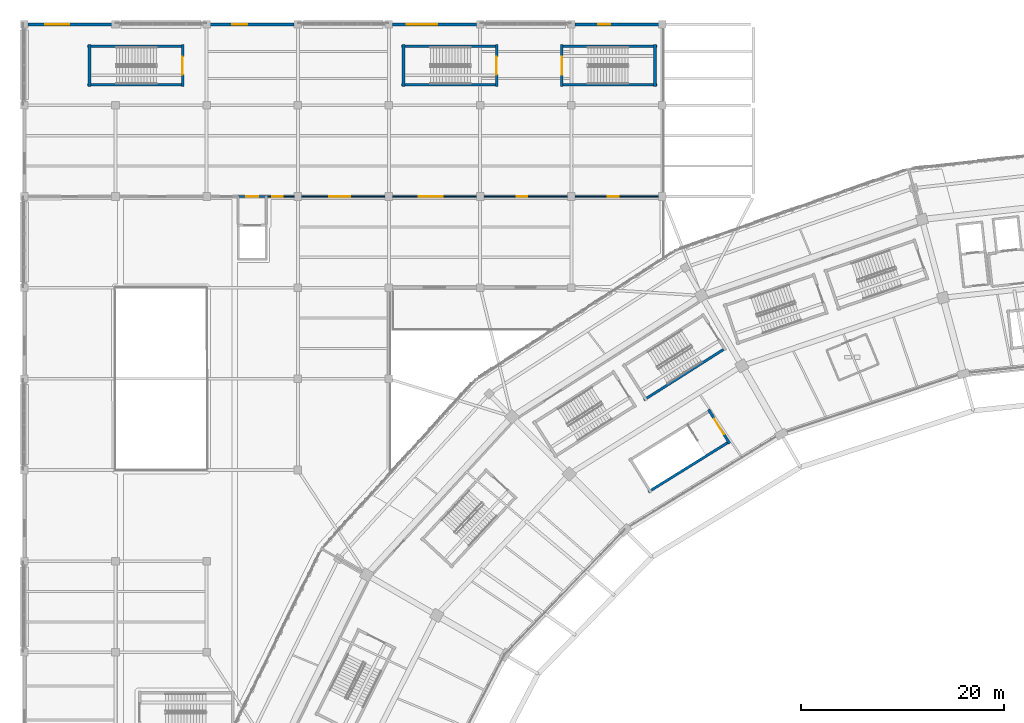
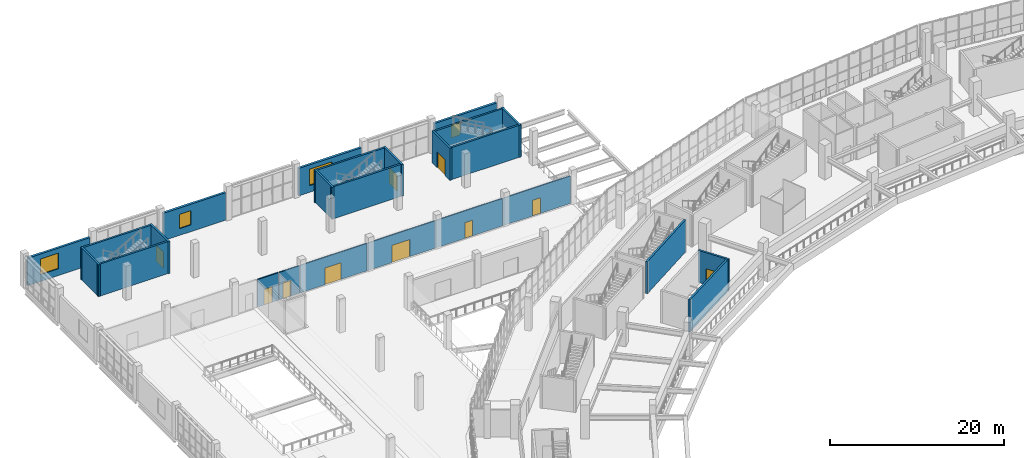
# One storey, part 108 of 179: 25 walls, 10 doors, 4 windows, 14 openings.
"""IFC4 building model written with IfcOpenShell, lengths in metres."""

from ifc_helpers import new_model, si_unit, direction, frame, frame_2d, origin, place, context, subcontext, project, spatial, rectangle, extrude, material, layer, layer_set, type_object, element, fill, save


model = new_model("IFC4")

# Units and contexts
model_context = context("Model", 3, precision=1e-05, world=origin(), true_north=direction((0.0, 1.0)))
body_context = subcontext(model_context, "Body", "Model", "MODEL_VIEW")
ifc_project = project(units=[si_unit("LENGTHUNIT", "METRE"), si_unit("AREAUNIT", "SQUARE_METRE"), si_unit("VOLUMEUNIT", "CUBIC_METRE"), si_unit("PLANEANGLEUNIT", "RADIAN"), si_unit("MASSUNIT", "GRAM", prefix="KILO")], contexts=[model_context])

# Site, building, storey
site_placement = place(None, origin())
site = spatial("IfcSite", under=ifc_project, at=site_placement, CompositionType="ELEMENT")
building_placement = place(site_placement, origin())
building = spatial("IfcBuilding", under=site, at=building_placement, Name="Zevraka Park Crest Stadium", CompositionType="ELEMENT")
storey_placement = place(building_placement, frame((0.0, 0.0, 10.199951171875)))
storey = spatial("IfcBuildingStorey", under=building, at=storey_placement, Name="L02", CompositionType="ELEMENT", Elevation=10.199951171875)

# Wall, opening, window
ifc_material_1 = material(Name="Limestone and red clay brick masonry", Category="masonry")
ifc_layer_1 = layer(ifc_material_1, 0.300048828125)
ifc_layer_set_1 = layer_set([ifc_layer_1], Name="Limestone and red clay brick masonry")
wall_type_1 = type_object("IfcWallType", Name="EW02", PredefinedType="STANDARD", material=ifc_layer_set_1)
wall_1_placement = place(storey_placement, frame((0.35009765625, 184.0, 0.0), z_axis=(0.0, 0.0, 1.0), x_axis=(1.0, 0.0, 0.0)))
wall_1 = element("IfcWall", 1, at=wall_1_placement, inside=storey, type_object=wall_type_1, Name="Wing External Cavity Wall EW02 L02-NW-N2-1", PredefinedType="STANDARD", context=body_context, shape_type="SweptSolid", body=[
    extrude(rectangle(XDim=8.2998046875, YDim=0.300048828125, at=frame_2d((4.14990234375, 0.0))), origin(), (0.0, 0.0, 1.0), 3.85498046875),
])
opening_1_placement = place(wall_1_placement, frame((1.705078125, 0.0, 0.949951171875)))
opening_1 = element("IfcOpeningElement", 2, at=opening_1_placement, cuts=wall_1, Name="Opening WN02", PredefinedType="OPENING", context=body_context, shape_type="SweptSolid", body=[
    extrude(rectangle(XDim=2.39990234375, YDim=2.199951171875, at=frame_2d((1.199951171875, 1.10009765625))), frame((0.0, 0.159912109375, 0.0), z_axis=(0.0, -1.0, 0.0), x_axis=(1.0, 0.0, 0.0)), (0.0, 0.0, 1.0), 0.320068359375),
])
ifc_material_2 = material(Name="Solar-control laminated double glazing in aluminium frame", Category="aluminium")
window_type_1 = type_object("IfcWindowType", Name="WN02", PartitioningType="SINGLE_PANEL", PredefinedType="WINDOW", material=ifc_material_2)
window_1_placement = place(opening_1_placement, origin())
window_1 = element("IfcWindow", 3, at=window_1_placement, inside=storey, type_object=window_type_1, Name="Facade Casement Window WN02 W-L02-043", OverallHeight=2.199951171875, OverallWidth=2.39990234375, PartitioningType="SINGLE_PANEL", PredefinedType="WINDOW", context=body_context, shape_type="SweptSolid", body=[
    extrude(rectangle(XDim=2.39990234375, YDim=2.199951171875, at=frame_2d((1.199951171875, 1.10009765625))), frame((0.0, 0.030029296875, 0.0), z_axis=(0.0, -1.0, 0.0), x_axis=(1.0, 0.0, 0.0)), (0.0, 0.0, 1.0), 0.06005859375),
])
fill(opening_1, window_1)

wall_2_placement = place(storey_placement, frame((18.35009765625, 184.0, 0.0), z_axis=(0.0, 0.0, 1.0), x_axis=(1.0, 0.0, 0.0)))
wall_2 = element("IfcWall", 4, at=wall_2_placement, inside=storey, type_object=wall_type_1, Name="Wing External Cavity Wall EW02 L02-NW-N2-3", PredefinedType="STANDARD", context=body_context, shape_type="SweptSolid", body=[
    extrude(rectangle(XDim=8.2998046875, YDim=0.300048828125, at=frame_2d((4.14990234375, 0.0))), origin(), (0.0, 0.0, 1.0), 3.85498046875),
])
opening_2_placement = place(wall_2_placement, frame((2.155029296875, 0.0, 0.949951171875)))
opening_2 = element("IfcOpeningElement", 5, at=opening_2_placement, cuts=wall_2, Name="Opening WN03", PredefinedType="OPENING", context=body_context, shape_type="SweptSolid", body=[
    extrude(rectangle(XDim=1.5, YDim=2.0, at=frame_2d((0.75, 1.0))), frame((0.0, 0.159912109375, 0.0), z_axis=(0.0, -1.0, 0.0), x_axis=(1.0, 0.0, 0.0)), (0.0, 0.0, 1.0), 0.320068359375),
])
ifc_material_3 = material(Name="Solar-control laminated double glazing in aluminium frame", Category="aluminium")
window_type_2 = type_object("IfcWindowType", Name="WN03", PartitioningType="SINGLE_PANEL", PredefinedType="WINDOW", material=ifc_material_3)
window_2_placement = place(opening_2_placement, origin())
window_2 = element("IfcWindow", 6, at=window_2_placement, inside=storey, type_object=window_type_2, Name="Facade Casement Window WN03 W-L02-044", OverallHeight=2.0, OverallWidth=1.5, PartitioningType="SINGLE_PANEL", PredefinedType="WINDOW", context=body_context, shape_type="SweptSolid", body=[
    extrude(rectangle(XDim=1.5, YDim=2.0, at=frame_2d((0.75, 1.0))), frame((0.0, 0.030029296875, 0.0), z_axis=(0.0, -1.0, 0.0), x_axis=(1.0, 0.0, 0.0)), (0.0, 0.0, 1.0), 0.06005859375),
])
fill(opening_2, window_2)

wall_3_placement = place(storey_placement, frame((36.35009765625, 184.0, 0.0), z_axis=(0.0, 0.0, 1.0), x_axis=(1.0, 0.0, 0.0)))
wall_3 = element("IfcWall", 7, at=wall_3_placement, inside=storey, type_object=wall_type_1, Name="Wing External Cavity Wall EW02 L02-NW-N2-5", PredefinedType="STANDARD", context=body_context, shape_type="SweptSolid", body=[
    extrude(rectangle(XDim=8.2998046875, YDim=0.300048828125, at=frame_2d((4.14990234375, 0.0))), origin(), (0.0, 0.0, 1.0), 3.85498046875),
])
opening_3_placement = place(wall_3_placement, frame((1.405029296875, 0.0, 0.949951171875)))
opening_3 = element("IfcOpeningElement", 8, at=opening_3_placement, cuts=wall_3, Name="Opening WN04", PredefinedType="OPENING", context=body_context, shape_type="SweptSolid", body=[
    extrude(rectangle(XDim=3.0, YDim=2.300048828125, at=frame_2d((1.5, 1.14990234375))), frame((0.0, 0.159912109375, 0.0), z_axis=(0.0, -1.0, 0.0), x_axis=(1.0, 0.0, 0.0)), (0.0, 0.0, 1.0), 0.320068359375),
])
ifc_material_4 = material(Name="Solar-control laminated double glazing in aluminium frame", Category="aluminium")
window_type_3 = type_object("IfcWindowType", Name="WN04", PartitioningType="SINGLE_PANEL", PredefinedType="WINDOW", material=ifc_material_4)
window_3_placement = place(opening_3_placement, origin())
window_3 = element("IfcWindow", 9, at=window_3_placement, inside=storey, type_object=window_type_3, Name="Facade Casement Window WN04 W-L02-045", OverallHeight=2.300048828125, OverallWidth=3.0, PartitioningType="SINGLE_PANEL", PredefinedType="WINDOW", context=body_context, shape_type="SweptSolid", body=[
    extrude(rectangle(XDim=3.0, YDim=2.300048828125, at=frame_2d((1.5, 1.14990234375))), frame((0.0, 0.030029296875, 0.0), z_axis=(0.0, -1.0, 0.0), x_axis=(1.0, 0.0, 0.0)), (0.0, 0.0, 1.0), 0.06005859375),
])
fill(opening_3, window_3)

wall_4_placement = place(storey_placement, frame((54.35009765625, 184.0, 0.0), z_axis=(0.0, 0.0, 1.0), x_axis=(1.0, 0.0, 0.0)))
wall_4 = element("IfcWall", 10, at=wall_4_placement, inside=storey, type_object=wall_type_1, Name="Wing External Cavity Wall EW02 L02-NW-N2-7", PredefinedType="STANDARD", context=body_context, shape_type="SweptSolid", body=[
    extrude(rectangle(XDim=8.2998046875, YDim=0.300048828125, at=frame_2d((4.14990234375, 0.0))), origin(), (0.0, 0.0, 1.0), 3.85498046875),
])
opening_4_placement = place(wall_4_placement, frame((2.304931640625, 0.0, 0.949951171875)))
opening_4 = element("IfcOpeningElement", 11, at=opening_4_placement, cuts=wall_4, Name="Opening WN05", PredefinedType="OPENING", context=body_context, shape_type="SweptSolid", body=[
    extrude(rectangle(XDim=1.199951171875, YDim=1.800048828125, at=frame_2d((0.60009765625, 0.89990234375))), frame((0.0, 0.159912109375, 0.0), z_axis=(0.0, -1.0, 0.0), x_axis=(1.0, 0.0, 0.0)), (0.0, 0.0, 1.0), 0.320068359375),
])
ifc_material_5 = material(Name="Solar-control laminated double glazing in aluminium frame", Category="aluminium")
window_type_4 = type_object("IfcWindowType", Name="WN05", PartitioningType="SINGLE_PANEL", PredefinedType="WINDOW", material=ifc_material_5)
window_4_placement = place(opening_4_placement, origin())
window_4 = element("IfcWindow", 12, at=window_4_placement, inside=storey, type_object=window_type_4, Name="Facade Casement Window WN05 W-L02-046", OverallHeight=1.800048828125, OverallWidth=1.199951171875, PartitioningType="SINGLE_PANEL", PredefinedType="WINDOW", context=body_context, shape_type="SweptSolid", body=[
    extrude(rectangle(XDim=1.199951171875, YDim=1.800048828125, at=frame_2d((0.60009765625, 0.89990234375))), frame((0.0, 0.030029296875, 0.0), z_axis=(0.0, -1.0, 0.0), x_axis=(1.0, 0.0, 0.0)), (0.0, 0.0, 1.0), 0.06005859375),
])
fill(opening_4, window_4)

# Wall, opening, door
ifc_material_6 = material(Name="Fire-rated twin-stud acoustic drywall", Category="other")
ifc_layer_2 = layer(ifc_material_6, 0.159912109375)
ifc_layer_set_2 = layer_set([ifc_layer_2], Name="Fire-rated twin-stud acoustic drywall")
wall_type_2 = type_object("IfcWallType", Name="IW02", PredefinedType="PARTITIONING", material=ifc_layer_set_2)
wall_5_placement = place(storey_placement, frame((23.889892578125, 167.0, 0.0), z_axis=(0.0, 0.0, 1.0), x_axis=(-1.0, 0.0, 0.0)))
wall_5 = element("IfcWall", 13, at=wall_5_placement, inside=storey, type_object=wall_type_2, Name="Goods Lift Lobby Wall IW02 GL01 L02 FRONT", PredefinedType="PARTITIONING", context=body_context, shape_type="SweptSolid", body=[
    extrude(rectangle(XDim=2.77978515625, YDim=0.159912109375, at=frame_2d((1.389892578125, 0.0))), origin(), (0.0, 0.0, 1.0), 3.85498046875),
])
opening_5_placement = place(wall_5_placement, frame((0.81494140625, 0.0, 0.0)))
opening_5 = element("IfcOpeningElement", 14, at=opening_5_placement, cuts=wall_5, Name="Opening D-L02-331", PredefinedType="OPENING", context=body_context, shape_type="SweptSolid", body=[
    extrude(rectangle(XDim=1.14990234375, YDim=2.199951171875, at=frame_2d((0.574951171875, 1.10009765625))), frame((0.0, 0.08984375, 0.0), z_axis=(0.0, -1.0, 0.0), x_axis=(1.0, 0.0, 0.0)), (0.0, 0.0, 1.0), 0.179931640625),
])
ifc_material_7 = material(Name="Solid-core hardwood timber leaf in steel frame", Category="steel")
door_type_1 = type_object("IfcDoorType", Name="DR03", OperationType="NOTDEFINED", PredefinedType="DOOR", material=ifc_material_7)
door_1_placement = place(opening_5_placement, origin())
door_1 = element("IfcDoor", 15, at=door_1_placement, inside=storey, type_object=door_type_1, Name="Goods Lift Lobby GL01 Door D-L02-331", OperationType="SINGLE_SWING_LEFT", OverallHeight=2.199951171875, OverallWidth=1.14990234375, PredefinedType="DOOR", context=body_context, shape_type="SweptSolid", body=[
    extrude(rectangle(XDim=1.14990234375, YDim=2.199951171875, at=frame_2d((0.574951171875, 1.10009765625))), frame((0.0, 0.02490234375, 0.0), z_axis=(0.0, -1.0, 0.0), x_axis=(1.0, 0.0, 0.0)), (0.0, 0.0, 1.0), 0.050048828125),
])
fill(opening_5, door_1)

ifc_material_8 = material(Name="Fire-rated twin-stud acoustic drywall", Category="other")
ifc_layer_3 = layer(ifc_material_8, 0.139892578125)
ifc_layer_set_3 = layer_set([ifc_layer_3], Name="Fire-rated twin-stud acoustic drywall")
wall_type_3 = type_object("IfcWallType", Name="IW03", PredefinedType="PARTITIONING", material=ifc_layer_set_3)
wall_6_placement = place(storey_placement, frame((23.969970703125, 167.0, 0.0), z_axis=(0.0, 0.0, 1.0), x_axis=(1.0, 0.0, 0.0)))
wall_6 = element("IfcWall", 16, at=wall_6_placement, inside=storey, type_object=wall_type_3, Name="Interior Partition IW03 Community Sports Classroom L02", PredefinedType="PARTITIONING", context=body_context, shape_type="SweptSolid", body=[
    extrude(rectangle(XDim=2.669921875, YDim=0.139892578125, at=frame_2d((1.3349609375, 0.0))), origin(), (0.0, 0.0, 1.0), 3.85498046875),
])
opening_6_placement = place(wall_6_placement, frame((0.52294921875, 0.0, 0.0)))
opening_6 = element("IfcOpeningElement", 17, at=opening_6_placement, cuts=wall_6, Name="Opening D-L02-427", PredefinedType="OPENING", context=body_context, shape_type="SweptSolid", body=[
    extrude(rectangle(XDim=1.02001953125, YDim=2.199951171875, at=frame_2d((0.510009765625, 1.10009765625))), frame((0.0, 0.079833984375, 0.0), z_axis=(0.0, -1.0, 0.0), x_axis=(1.0, 0.0, 0.0)), (0.0, 0.0, 1.0), 0.159912109375),
])
ifc_material_9 = material(Name="Solid-core hardwood timber leaf in steel frame", Category="steel")
door_type_2 = type_object("IfcDoorType", Name="DR21", OperationType="NOTDEFINED", PredefinedType="DOOR", material=ifc_material_9)
door_2_placement = place(opening_6_placement, origin())
door_2 = element("IfcDoor", 18, at=door_2_placement, inside=storey, type_object=door_type_2, Name="Community Sports Classroom Door D-L02-427", OperationType="SINGLE_SWING_RIGHT", OverallHeight=2.199951171875, OverallWidth=1.02001953125, PredefinedType="DOOR", context=body_context, shape_type="SweptSolid", body=[
    extrude(rectangle(XDim=1.02001953125, YDim=2.199951171875, at=frame_2d((0.510009765625, 1.10009765625))), frame((0.0, 0.02490234375, 0.0), z_axis=(0.0, -1.0, 0.0), x_axis=(1.0, 0.0, 0.0)), (0.0, 0.0, 1.0), 0.050048828125),
])
fill(opening_6, door_2)

wall_7_placement = place(storey_placement, frame((26.625, 167.0, 0.0), z_axis=(0.0, 0.0, 1.0), x_axis=(1.0, 0.0, 0.0)))
wall_7 = element("IfcWall", 19, at=wall_7_placement, inside=storey, type_object=wall_type_3, Name="Interior Partition IW03 Community Sports Classroom L02", PredefinedType="PARTITIONING", context=body_context, shape_type="SweptSolid", body=[
    extrude(rectangle(XDim=9.014892578125, YDim=0.139892578125, at=frame_2d((4.50732421875, 0.0))), origin(), (0.0, 0.0, 1.0), 3.85498046875),
])
opening_7_placement = place(wall_7_placement, frame((3.4580078125, 0.0, 0.0)))
opening_7 = element("IfcOpeningElement", 20, at=opening_7_placement, cuts=wall_7, Name="Opening D-L02-428", PredefinedType="OPENING", context=body_context, shape_type="SweptSolid", body=[
    extrude(rectangle(XDim=2.10009765625, YDim=2.35009765625, at=frame_2d((1.050048828125, 1.175048828125))), frame((0.0, 0.079833984375, 0.0), z_axis=(0.0, -1.0, 0.0), x_axis=(1.0, 0.0, 0.0)), (0.0, 0.0, 1.0), 0.159912109375),
])
ifc_material_10 = material(Name="Solid-core hardwood timber leaf in steel frame", Category="steel")
door_type_3 = type_object("IfcDoorType", Name="DR17", OperationType="NOTDEFINED", PredefinedType="DOOR", material=ifc_material_10)
door_3_placement = place(opening_7_placement, origin())
door_3 = element("IfcDoor", 21, at=door_3_placement, inside=storey, type_object=door_type_3, Name="Community Sports Classroom Door D-L02-428", OperationType="DOUBLE_DOOR_SINGLE_SWING", OverallHeight=2.35009765625, OverallWidth=2.10009765625, PredefinedType="DOOR", context=body_context, shape_type="SweptSolid", body=[
    extrude(rectangle(XDim=2.10009765625, YDim=2.35009765625, at=frame_2d((1.050048828125, 1.175048828125))), frame((0.0, 0.02490234375, 0.0), z_axis=(0.0, -1.0, 0.0), x_axis=(1.0, 0.0, 0.0)), (0.0, 0.0, 1.0), 0.050048828125),
])
fill(opening_7, door_3)

wall_8_placement = place(storey_placement, frame((35.625, 167.0, 0.0), z_axis=(0.0, 0.0, 1.0), x_axis=(1.0, 0.0, 0.0)))
wall_8 = element("IfcWall", 22, at=wall_8_placement, inside=storey, type_object=wall_type_3, Name="Interior Partition IW03 Community Sports Classroom L02", PredefinedType="PARTITIONING", context=body_context, shape_type="SweptSolid", body=[
    extrude(rectangle(XDim=9.014892578125, YDim=0.139892578125, at=frame_2d((4.50732421875, 0.0))), origin(), (0.0, 0.0, 1.0), 3.85498046875),
])
opening_8_placement = place(wall_8_placement, frame((3.30810546875, 0.0, 0.0)))
opening_8 = element("IfcOpeningElement", 23, at=opening_8_placement, cuts=wall_8, Name="Opening D-L02-429", PredefinedType="OPENING", context=body_context, shape_type="SweptSolid", body=[
    extrude(rectangle(XDim=2.39990234375, YDim=2.39990234375, at=frame_2d((1.199951171875, 1.199951171875))), frame((0.0, 0.079833984375, 0.0), z_axis=(0.0, -1.0, 0.0), x_axis=(1.0, 0.0, 0.0)), (0.0, 0.0, 1.0), 0.159912109375),
])
ifc_material_11 = material(Name="Solid-core hardwood timber leaf in steel frame", Category="steel")
door_type_4 = type_object("IfcDoorType", Name="DR18", OperationType="NOTDEFINED", PredefinedType="DOOR", material=ifc_material_11)
door_4_placement = place(opening_8_placement, origin())
door_4 = element("IfcDoor", 24, at=door_4_placement, inside=storey, type_object=door_type_4, Name="Community Sports Classroom Door D-L02-429", OperationType="DOUBLE_DOOR_SINGLE_SWING", OverallHeight=2.39990234375, OverallWidth=2.39990234375, PredefinedType="DOOR", context=body_context, shape_type="SweptSolid", body=[
    extrude(rectangle(XDim=2.39990234375, YDim=2.39990234375, at=frame_2d((1.199951171875, 1.199951171875))), frame((0.0, 0.02490234375, 0.0), z_axis=(0.0, -1.0, 0.0), x_axis=(1.0, 0.0, 0.0)), (0.0, 0.0, 1.0), 0.050048828125),
])
fill(opening_8, door_4)

wall_9_placement = place(storey_placement, frame((44.625, 167.0, 0.0), z_axis=(0.0, 0.0, 1.0), x_axis=(1.0, 0.0, 0.0)))
wall_9 = element("IfcWall", 25, at=wall_9_placement, inside=storey, type_object=wall_type_3, Name="Interior Partition IW03 Community Sports Classroom L02", PredefinedType="PARTITIONING", context=body_context, shape_type="SweptSolid", body=[
    extrude(rectangle(XDim=9.014892578125, YDim=0.139892578125, at=frame_2d((4.50732421875, 0.0))), origin(), (0.0, 0.0, 1.0), 3.85498046875),
])
opening_9_placement = place(wall_9_placement, frame((3.998046875, 0.0, 0.0)))
opening_9 = element("IfcOpeningElement", 26, at=opening_9_placement, cuts=wall_9, Name="Opening D-L02-430", PredefinedType="OPENING", context=body_context, shape_type="SweptSolid", body=[
    extrude(rectangle(XDim=1.02001953125, YDim=2.199951171875, at=frame_2d((0.510009765625, 1.10009765625))), frame((0.0, 0.079833984375, 0.0), z_axis=(0.0, -1.0, 0.0), x_axis=(1.0, 0.0, 0.0)), (0.0, 0.0, 1.0), 0.159912109375),
])
door_5_placement = place(opening_9_placement, origin())
door_5 = element("IfcDoor", 27, at=door_5_placement, inside=storey, type_object=door_type_2, Name="Community Sports Classroom Door D-L02-430", OperationType="SINGLE_SWING_LEFT", OverallHeight=2.199951171875, OverallWidth=1.02001953125, PredefinedType="DOOR", context=body_context, shape_type="SweptSolid", body=[
    extrude(rectangle(XDim=1.02001953125, YDim=2.199951171875, at=frame_2d((0.510009765625, 1.10009765625))), frame((0.0, 0.02490234375, 0.0), z_axis=(0.0, -1.0, 0.0), x_axis=(1.0, 0.0, 0.0)), (0.0, 0.0, 1.0), 0.050048828125),
])
fill(opening_9, door_5)

wall_10_placement = place(storey_placement, frame((53.625, 167.0, 0.0), z_axis=(0.0, 0.0, 1.0), x_axis=(1.0, 0.0, 0.0)))
wall_10 = element("IfcWall", 28, at=wall_10_placement, inside=storey, type_object=wall_type_3, Name="Interior Partition IW03 Community Sports Classroom L02", PredefinedType="PARTITIONING", context=body_context, shape_type="SweptSolid", body=[
    extrude(rectangle(XDim=9.014892578125, YDim=0.139892578125, at=frame_2d((4.50732421875, 0.0))), origin(), (0.0, 0.0, 1.0), 3.85498046875),
])
opening_10_placement = place(wall_10_placement, frame((3.968017578125, 0.0, 0.0)))
opening_10 = element("IfcOpeningElement", 29, at=opening_10_placement, cuts=wall_10, Name="Opening D-L02-431", PredefinedType="OPENING", context=body_context, shape_type="SweptSolid", body=[
    extrude(rectangle(XDim=1.080078125, YDim=2.199951171875, at=frame_2d((0.5400390625, 1.10009765625))), frame((0.0, 0.079833984375, 0.0), z_axis=(0.0, -1.0, 0.0), x_axis=(1.0, 0.0, 0.0)), (0.0, 0.0, 1.0), 0.159912109375),
])
ifc_material_12 = material(Name="Solid-core hardwood timber leaf in steel frame", Category="steel")
door_type_5 = type_object("IfcDoorType", Name="DR22", OperationType="NOTDEFINED", PredefinedType="DOOR", material=ifc_material_12)
door_6_placement = place(opening_10_placement, origin())
door_6 = element("IfcDoor", 30, at=door_6_placement, inside=storey, type_object=door_type_5, Name="Community Sports Classroom Door D-L02-431", OperationType="SINGLE_SWING_RIGHT", OverallHeight=2.199951171875, OverallWidth=1.080078125, PredefinedType="DOOR", context=body_context, shape_type="SweptSolid", body=[
    extrude(rectangle(XDim=1.080078125, YDim=2.199951171875, at=frame_2d((0.5400390625, 1.10009765625))), frame((0.0, 0.02490234375, 0.0), z_axis=(0.0, -1.0, 0.0), x_axis=(1.0, 0.0, 0.0)), (0.0, 0.0, 1.0), 0.050048828125),
])
fill(opening_10, door_6)

# Walls
ifc_material_13 = material(Name="Concrete C40/50", Category="concrete")
ifc_layer_4 = layer(ifc_material_13, 0.25)
ifc_layer_set_4 = layer_set([ifc_layer_4], Name="Concrete C40/50")
wall_type_4 = type_object("IfcWallType", Name="SW01", PredefinedType="SHEAR", material=ifc_layer_set_4)
wall_11_placement = place(storey_placement, frame((61.183349609375, 146.917236328125, 0.0), z_axis=(0.0, 0.0, 1.0), x_axis=(0.844391246241, 0.535727004427, 0.0)))
element("IfcWall", 31, at=wall_11_placement, inside=storey, type_object=wall_type_4, Name="Stair Core Shear Wall SW01 ST09 L02 right", PredefinedType="SHEAR", context=body_context, shape_type="SweptSolid", body=[
    extrude(rectangle(XDim=9.550048828125, YDim=0.25, at=frame_2d((4.77490234375, 0.0))), origin(), (0.0, 0.0, 1.0), 4.5),
])
wall_12_placement = place(storey_placement, frame((61.621337890625, 137.840087890625, 0.0), z_axis=(0.0, 0.0, 1.0), x_axis=(0.849684869763, 0.527290832554, 0.0)))
element("IfcWall", 32, at=wall_12_placement, inside=storey, type_object=wall_type_4, Name="Stair Core Shear Wall SW01 ST37 L02 right", PredefinedType="SHEAR", context=body_context, shape_type="SweptSolid", body=[
    extrude(rectangle(XDim=9.449951171875, YDim=0.25, at=frame_2d((4.72509765625, 0.0))), origin(), (0.0, 0.0, 1.0), 4.5),
])

# Wall, opening, door
wall_13_placement = place(storey_placement, frame((69.634521484375, 142.612548828125, 0.0), z_axis=(0.0, 0.0, 1.0), x_axis=(-0.527303008499, 0.849677313589, 0.0)))
wall_13 = element("IfcWall", 33, at=wall_13_placement, inside=storey, type_object=wall_type_4, Name="Stair Core Shear Wall SW01 ST37 L02 near", PredefinedType="SHEAR", context=body_context, shape_type="SweptSolid", body=[
    extrude(rectangle(XDim=3.9599609375, YDim=0.25, at=frame_2d((1.97998046875, 0.0))), origin(), (0.0, 0.0, 1.0), 4.5),
])
opening_11_placement = place(wall_13_placement, frame((1.080078125, 0.0, 0.0)))
opening_11 = element("IfcOpeningElement", 34, at=opening_11_placement, cuts=wall_13, Name="Opening D-L02-204", PredefinedType="OPENING", context=body_context, shape_type="SweptSolid", body=[
    extrude(rectangle(XDim=1.800048828125, YDim=2.25, at=frame_2d((0.89990234375, 1.125))), frame((0.0, 0.135009765625, 0.0), z_axis=(0.0, -1.0, 0.0), x_axis=(1.0, 0.0, 0.0)), (0.0, 0.0, 1.0), 0.27001953125),
])
ifc_material_14 = material(Name="Solid-core hardwood timber leaf in steel frame", Category="steel")
door_type_6 = type_object("IfcDoorType", Name="DR04", OperationType="NOTDEFINED", PredefinedType="DOOR", material=ifc_material_14)
door_7_placement = place(opening_11_placement, origin())
door_7 = element("IfcDoor", 35, at=door_7_placement, inside=storey, type_object=door_type_6, Name="Protected Stair Entry Door ST37 L02", OperationType="DOUBLE_DOOR_SINGLE_SWING", OverallHeight=2.25, OverallWidth=1.800048828125, PredefinedType="DOOR", context=body_context, shape_type="SweptSolid", body=[
    extrude(rectangle(XDim=1.800048828125, YDim=2.25, at=frame_2d((0.89990234375, 1.125))), frame((0.0, 0.02490234375, 0.0), z_axis=(0.0, -1.0, 0.0), x_axis=(1.0, 0.0, 0.0)), (0.0, 0.0, 1.0), 0.050048828125),
])
fill(opening_11, door_7)

# Walls
for number, where, z_axis, x_axis, name in (
    (36, (15.75, 181.830078125, 0.0), (0.0, 0.0, 1.0), (-1.0, 0.0, 0.0), "Stair Core Shear Wall SW01 ST47 L02 left"),
    (37, (6.25, 178.010009765625, 0.0), (0.0, 0.0, 1.0), (1.0, 0.0, 0.0), "Stair Core Shear Wall SW01 ST47 L02 right"),
):
    element("IfcWall", number, at=place(storey_placement, frame(where, z_axis=z_axis, x_axis=x_axis)), inside=storey, type_object=wall_type_4, Name=name, PredefinedType="SHEAR", context=body_context, shape_type="SweptSolid", body=[
        extrude(rectangle(XDim=9.5, YDim=0.25, at=frame_2d((4.75, 0.0))), origin(), (0.0, 0.0, 1.0), 4.5),
    ])

# Wall, opening, door
wall_14_placement = place(storey_placement, frame((15.625, 177.840087890625, 0.0), z_axis=(0.0, 0.0, 1.0), x_axis=(0.0, 1.0, 0.0)))
wall_14 = element("IfcWall", 38, at=wall_14_placement, inside=storey, type_object=wall_type_4, Name="Stair Core Shear Wall SW01 ST47 L02 near", PredefinedType="SHEAR", context=body_context, shape_type="SweptSolid", body=[
    extrude(rectangle(XDim=4.159912109375, YDim=0.25, at=frame_2d((2.080078125, 0.0))), origin(), (0.0, 0.0, 1.0), 4.5),
])
opening_12_placement = place(wall_14_placement, frame((1.179931640625, 0.0, 0.0)))
opening_12 = element("IfcOpeningElement", 39, at=opening_12_placement, cuts=wall_14, Name="Opening D-L02-246", PredefinedType="OPENING", context=body_context, shape_type="SweptSolid", body=[
    extrude(rectangle(XDim=1.800048828125, YDim=2.25, at=frame_2d((0.89990234375, 1.125))), frame((0.0, 0.135009765625, 0.0), z_axis=(0.0, -1.0, 0.0), x_axis=(1.0, 0.0, 0.0)), (0.0, 0.0, 1.0), 0.27001953125),
])
door_8_placement = place(opening_12_placement, origin())
door_8 = element("IfcDoor", 40, at=door_8_placement, inside=storey, type_object=door_type_6, Name="Protected Stair Entry Door ST47 L02", OperationType="DOUBLE_DOOR_SINGLE_SWING", OverallHeight=2.25, OverallWidth=1.800048828125, PredefinedType="DOOR", context=body_context, shape_type="SweptSolid", body=[
    extrude(rectangle(XDim=1.800048828125, YDim=2.25, at=frame_2d((0.89990234375, 1.125))), frame((0.0, 0.02490234375, 0.0), z_axis=(0.0, -1.0, 0.0), x_axis=(1.0, 0.0, 0.0)), (0.0, 0.0, 1.0), 0.050048828125),
])
fill(opening_12, door_8)

# Walls
wall_15_placement = place(storey_placement, frame((6.43505859375, 182.0, 0.0), z_axis=(0.0, 0.0, 1.0), x_axis=(0.0, -1.0, 0.0)))
element("IfcWall", 41, at=wall_15_placement, inside=storey, type_object=wall_type_4, Name="Stair Core Shear Wall SW01 ST47 L02 far", PredefinedType="SHEAR", context=body_context, shape_type="SweptSolid", body=[
    extrude(rectangle(XDim=4.159912109375, YDim=0.25, at=frame_2d((2.080078125, 0.0))), origin(), (0.0, 0.0, 1.0), 4.5),
])
for number, where, z_axis, x_axis, name in (
    (42, (46.75, 181.830078125, 0.0), (0.0, 0.0, 1.0), (-1.0, 0.0, 0.0), "Stair Core Shear Wall SW01 ST49 L02 left"),
    (43, (37.25, 178.010009765625, 0.0), (0.0, 0.0, 1.0), (1.0, 0.0, 0.0), "Stair Core Shear Wall SW01 ST49 L02 right"),
):
    element("IfcWall", number, at=place(storey_placement, frame(where, z_axis=z_axis, x_axis=x_axis)), inside=storey, type_object=wall_type_4, Name=name, PredefinedType="SHEAR", context=body_context, shape_type="SweptSolid", body=[
        extrude(rectangle(XDim=9.5, YDim=0.25, at=frame_2d((4.75, 0.0))), origin(), (0.0, 0.0, 1.0), 4.5),
    ])

# Wall, opening, door
wall_16_placement = place(storey_placement, frame((46.625, 177.840087890625, 0.0), z_axis=(0.0, 0.0, 1.0), x_axis=(0.0, 1.0, 0.0)))
wall_16 = element("IfcWall", 44, at=wall_16_placement, inside=storey, type_object=wall_type_4, Name="Stair Core Shear Wall SW01 ST49 L02 near", PredefinedType="SHEAR", context=body_context, shape_type="SweptSolid", body=[
    extrude(rectangle(XDim=4.159912109375, YDim=0.25, at=frame_2d((2.080078125, 0.0))), origin(), (0.0, 0.0, 1.0), 4.5),
])
opening_13_placement = place(wall_16_placement, frame((1.179931640625, 0.0, 0.0)))
opening_13 = element("IfcOpeningElement", 45, at=opening_13_placement, cuts=wall_16, Name="Opening D-L02-256", PredefinedType="OPENING", context=body_context, shape_type="SweptSolid", body=[
    extrude(rectangle(XDim=1.800048828125, YDim=2.25, at=frame_2d((0.89990234375, 1.125))), frame((0.0, 0.135009765625, 0.0), z_axis=(0.0, -1.0, 0.0), x_axis=(1.0, 0.0, 0.0)), (0.0, 0.0, 1.0), 0.27001953125),
])
door_9_placement = place(opening_13_placement, origin())
door_9 = element("IfcDoor", 46, at=door_9_placement, inside=storey, type_object=door_type_6, Name="Protected Stair Entry Door ST49 L02", OperationType="DOUBLE_DOOR_SINGLE_SWING", OverallHeight=2.25, OverallWidth=1.800048828125, PredefinedType="DOOR", context=body_context, shape_type="SweptSolid", body=[
    extrude(rectangle(XDim=1.800048828125, YDim=2.25, at=frame_2d((0.89990234375, 1.125))), frame((0.0, 0.02490234375, 0.0), z_axis=(0.0, -1.0, 0.0), x_axis=(1.0, 0.0, 0.0)), (0.0, 0.0, 1.0), 0.050048828125),
])
fill(opening_13, door_9)

# Walls
wall_17_placement = place(storey_placement, frame((37.43505859375, 182.0, 0.0), z_axis=(0.0, 0.0, 1.0), x_axis=(0.0, -1.0, 0.0)))
element("IfcWall", 47, at=wall_17_placement, inside=storey, type_object=wall_type_4, Name="Stair Core Shear Wall SW01 ST49 L02 far", PredefinedType="SHEAR", context=body_context, shape_type="SweptSolid", body=[
    extrude(rectangle(XDim=4.159912109375, YDim=0.25, at=frame_2d((2.080078125, 0.0))), origin(), (0.0, 0.0, 1.0), 4.5),
])
for number, where, z_axis, x_axis, name in (
    (48, (52.949951171875, 178.010009765625, 0.0), (0.0, 0.0, 1.0), (1.0, 0.0, 0.0), "Stair Core Shear Wall SW01 ST50 L02 left"),
    (49, (62.449951171875, 181.830078125, 0.0), (0.0, 0.0, 1.0), (-1.0, 0.0, 0.0), "Stair Core Shear Wall SW01 ST50 L02 right"),
):
    element("IfcWall", number, at=place(storey_placement, frame(where, z_axis=z_axis, x_axis=x_axis)), inside=storey, type_object=wall_type_4, Name=name, PredefinedType="SHEAR", context=body_context, shape_type="SweptSolid", body=[
        extrude(rectangle(XDim=9.5, YDim=0.25, at=frame_2d((4.75, 0.0))), origin(), (0.0, 0.0, 1.0), 4.5),
    ])

# Wall, opening, door
wall_18_placement = place(storey_placement, frame((53.074951171875, 182.0, 0.0), z_axis=(0.0, 0.0, 1.0), x_axis=(0.0, -1.0, 0.0)))
wall_18 = element("IfcWall", 50, at=wall_18_placement, inside=storey, type_object=wall_type_4, Name="Stair Core Shear Wall SW01 ST50 L02 near", PredefinedType="SHEAR", context=body_context, shape_type="SweptSolid", body=[
    extrude(rectangle(XDim=4.159912109375, YDim=0.25, at=frame_2d((2.080078125, 0.0))), origin(), (0.0, 0.0, 1.0), 4.5),
])
opening_14_placement = place(wall_18_placement, frame((1.179931640625, 0.0, 0.0)))
opening_14 = element("IfcOpeningElement", 51, at=opening_14_placement, cuts=wall_18, Name="Opening D-L02-261", PredefinedType="OPENING", context=body_context, shape_type="SweptSolid", body=[
    extrude(rectangle(XDim=1.800048828125, YDim=2.25, at=frame_2d((0.89990234375, 1.125))), frame((0.0, 0.135009765625, 0.0), z_axis=(0.0, -1.0, 0.0), x_axis=(1.0, 0.0, 0.0)), (0.0, 0.0, 1.0), 0.27001953125),
])
door_10_placement = place(opening_14_placement, origin())
door_10 = element("IfcDoor", 52, at=door_10_placement, inside=storey, type_object=door_type_6, Name="Protected Stair Entry Door ST50 L02", OperationType="DOUBLE_DOOR_SINGLE_SWING", OverallHeight=2.25, OverallWidth=1.800048828125, PredefinedType="DOOR", context=body_context, shape_type="SweptSolid", body=[
    extrude(rectangle(XDim=1.800048828125, YDim=2.25, at=frame_2d((0.89990234375, 1.125))), frame((0.0, 0.02490234375, 0.0), z_axis=(0.0, -1.0, 0.0), x_axis=(1.0, 0.0, 0.0)), (0.0, 0.0, 1.0), 0.050048828125),
])
fill(opening_14, door_10)

# Wall
wall_19_placement = place(storey_placement, frame((62.264892578125, 177.840087890625, 0.0), z_axis=(0.0, 0.0, 1.0), x_axis=(0.0, 1.0, 0.0)))
element("IfcWall", 53, at=wall_19_placement, inside=storey, type_object=wall_type_4, Name="Stair Core Shear Wall SW01 ST50 L02 far", PredefinedType="SHEAR", context=body_context, shape_type="SweptSolid", body=[
    extrude(rectangle(XDim=4.159912109375, YDim=0.25, at=frame_2d((2.080078125, 0.0))), origin(), (0.0, 0.0, 1.0), 4.5),
])

save(model, "model.ifc")
